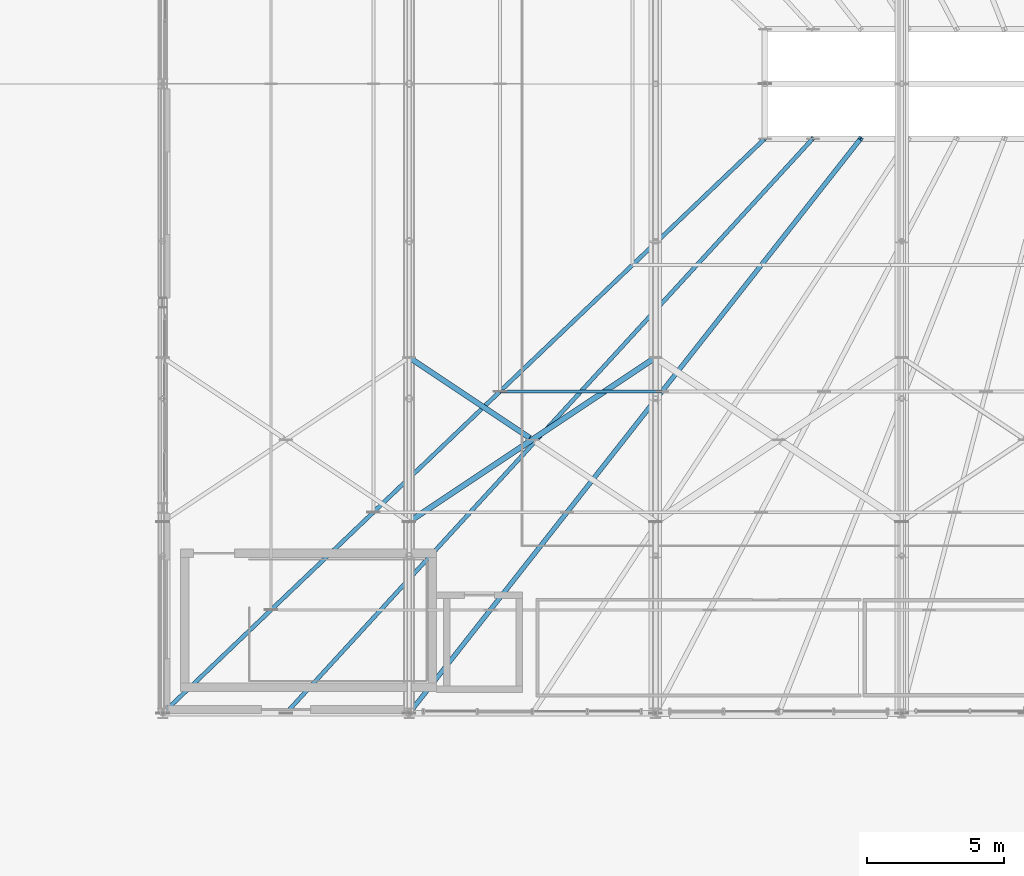
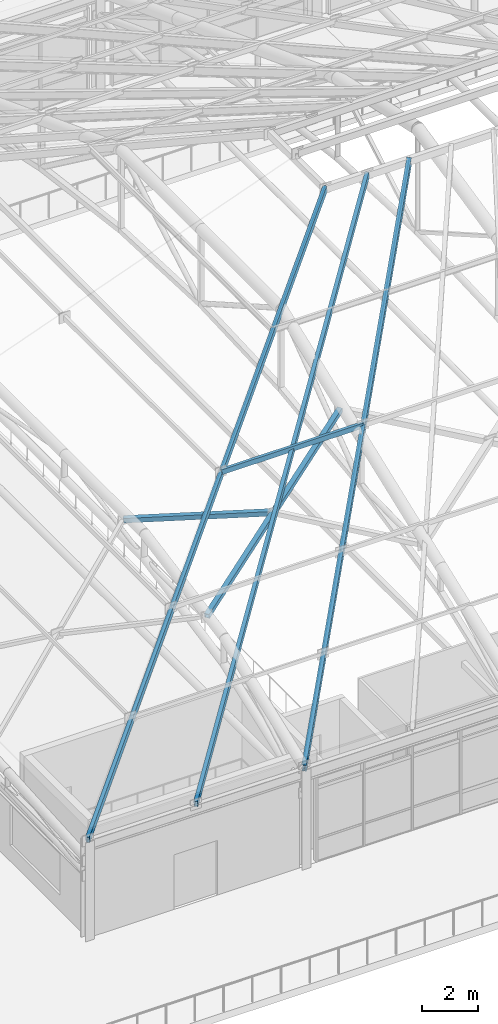
# One storey, part 25 of 168: 6 members.
"""IFC4 building model written with IfcOpenShell, lengths in metres."""

from ifc_helpers import new_model, si_unit, direction, frame, origin, origin_2d, place, context, subcontext, project, spatial, hollow_rectangle, i_section, extrude, material, material_profile, profile_set, type_object, element, save


model = new_model("IFC4")

# Units and contexts
model_context = context("Model", 3, precision=1e-05, world=origin(), true_north=direction((0.0, 1.0)))
body_context = subcontext(model_context, "Body", "Model", "MODEL_VIEW")
ifc_project = project(units=[si_unit("LENGTHUNIT", "METRE"), si_unit("AREAUNIT", "SQUARE_METRE"), si_unit("VOLUMEUNIT", "CUBIC_METRE"), si_unit("PLANEANGLEUNIT", "RADIAN"), si_unit("MASSUNIT", "GRAM", prefix="KILO"), si_unit("THERMODYNAMICTEMPERATUREUNIT", "KELVIN"), si_unit("POWERUNIT", "WATT")], contexts=[model_context])

# Site, building, storey
site_placement = place(None, origin())
site = spatial("IfcSite", under=ifc_project, at=site_placement, CompositionType="ELEMENT")
building_placement = place(site_placement, origin())
building = spatial("IfcBuilding", under=site, at=building_placement, Name="Tepalcoro Natatorium and Aquatics Centre", CompositionType="ELEMENT")
storey_placement = place(building_placement, frame((0.0, 0.0, 10.199951171875)))
storey = spatial("IfcBuildingStorey", under=building, at=storey_placement, Name="L02", CompositionType="ELEMENT", Elevation=10.199951171875)

# Members
ifc_material_1 = material(Name="Hollow Steel ASTM A500 Grade C (Fy 345 MPa)", Category="steel")
ifc_material_profile_1 = material_profile(ifc_material_1, hollow_rectangle(XDim=0.199951171875, YDim=0.199951171875, WallThickness=0.011962890625, at=origin_2d()), Name="HSS200X200X12")
ifc_profile_set_1 = profile_set([ifc_material_profile_1], Name="Hollow Steel ASTM A500 Grade C (Fy 345 MPa)")
member_type_1 = type_object("IfcMemberType", Name="MB_BR_HSS200x200x12", PredefinedType="BRACE", material=ifc_profile_set_1)
member_1_placement = place(storey_placement, frame((62.0, 20.0, 6.768310546875), z_axis=(0.813984840573, 0.542656560382, 0.207249937978), x_axis=(-0.554700196225, 0.832050294338, 0.0)))
element("IfcMember", 1, at=member_1_placement, inside=storey, type_object=member_type_1, Name="V1 Pyramid Roof Wind Brace", PredefinedType="BRACE", context=body_context, shape_type="SweptSolid", body=[
    extrude(hollow_rectangle(XDim=0.199951171875, YDim=0.199951171875, WallThickness=0.011962890625, at=origin_2d()), origin(), (0.0, 0.0, 1.0), 11.056640625),
])
member_2_placement = place(storey_placement, frame((66.40869140625, 23.060791015625, 7.920166015625), z_axis=(-0.827689397803, 0.55180821022, -0.102166334461), x_axis=(-0.554710829139, -0.832043205631, 0.0)))
element("IfcMember", 2, at=member_2_placement, inside=storey, type_object=member_type_1, Name="V1 Pyramid Roof Split Wind Brace", PredefinedType="BRACE", context=body_context, shape_type="SweptSolid", body=[
    extrude(hollow_rectangle(XDim=0.199951171875, YDim=0.199951171875, WallThickness=0.011962890625, at=origin_2d()), origin(), (0.0, 0.0, 1.0), 5.326416015625),
])
ifc_material_profile_2 = material_profile(ifc_material_1, hollow_rectangle(XDim=0.1201171875, YDim=0.219970703125, WallThickness=0.010009765625, at=origin_2d()), Name="HSS220X120X10")
ifc_profile_set_2 = profile_set([ifc_material_profile_2], Name="Hollow Steel ASTM A500 Grade C (Fy 345 MPa)")
member_type_2 = type_object("IfcMemberType", Name="MB_PR_HSS220x120x10", PredefinedType="PURLIN", material=ifc_profile_set_2)
member_3_placement = place(storey_placement, frame((65.320068359375, 24.760009765625, 9.05419921875), z_axis=(1.0, 0.0, 0.0), x_axis=(0.0, 1.0, 0.0)))
element("IfcMember", 3, at=member_3_placement, inside=storey, type_object=member_type_2, Name="Pyramid Horizontal Purlin South", PredefinedType="PURLIN", context=body_context, shape_type="SweptSolid", body=[
    extrude(hollow_rectangle(XDim=0.1201171875, YDim=0.219970703125, WallThickness=0.010009765625, at=origin_2d()), origin(), (0.0, 0.0, 1.0), 5.919921875),
])
ifc_material_2 = material(Name="Terracotta Painted Hollow Steel ASTM A500 Grade C (Fy 345 MPa)", Category="masonry")
ifc_material_profile_3 = material_profile(ifc_material_2, hollow_rectangle(XDim=0.14990234375, YDim=0.300048828125, WallThickness=0.011962890625, at=origin_2d()), Name="HSS300X150X12")
ifc_profile_set_3 = profile_set([ifc_material_profile_3], Name="Terracotta Painted Hollow Steel ASTM A500 Grade C (Fy 345 MPa)")
member_type_3 = type_object("IfcMemberType", Name="MB_RF_HSS300x150x12", PredefinedType="RAFTER", material=ifc_profile_set_3)
member_4_placement = place(storey_placement, frame((53.0, 13.0, 4.320068359375), z_axis=(0.698386900615, 0.666642041496, 0.260469049137), x_axis=(-0.690475746683, 0.723355544144, 0.0)))
element("IfcMember", 4, at=member_4_placement, inside=storey, type_object=member_type_3, Name="Pyramid Hip Rafter SW", PredefinedType="RAFTER", context=body_context, shape_type="SweptSolid", body=[
    extrude(hollow_rectangle(XDim=0.14990234375, YDim=0.300048828125, WallThickness=0.011962890625, at=origin_2d()), origin(), (0.0, 0.0, 1.0), 31.501220703125),
])
member_5_placement = place(storey_placement, frame((57.5, 13.0, 4.320068359375), z_axis=(0.649328564476, 0.708358433974, 0.276768394822), x_axis=(-0.737154140201, 0.675724628517, 0.0)))
element("IfcMember", 5, at=member_5_placement, inside=storey, type_object=member_type_3, Name="Pyramid Skylight Rafter South", PredefinedType="RAFTER", context=body_context, shape_type="SweptSolid", body=[
    extrude(hollow_rectangle(XDim=0.14990234375, YDim=0.300048828125, WallThickness=0.011962890625, at=origin_2d()), origin(), (0.0, 0.0, 1.0), 29.64599609375),
])
ifc_material_3 = material(Name="Steel ASTM A992 Grade 50 (Fy 345 MPa)", Category="steel")
ifc_material_profile_4 = material_profile(ifc_material_3, i_section(OverallWidth=0.1708984375, OverallDepth=0.35595703125, WebThickness=0.007080078125, FlangeThickness=0.011962890625, FilletRadius=0.013916015625, at=origin_2d()), Name="W14X34")
ifc_profile_set_4 = profile_set([ifc_material_profile_4], Name="Steel ASTM A992 Grade 50 (Fy 345 MPa)")
member_type_4 = type_object("IfcMemberType", Name="MB_RF_W14x34", PredefinedType="RAFTER", material=ifc_profile_set_4)
member_6_placement = place(storey_placement, frame((62.0, 13.0, 4.320068359375), z_axis=(0.590577770954, 0.75164443576, 0.293681015125), x_axis=(-0.786318338822, 0.617821551932, 0.0)))
element("IfcMember", 6, at=member_6_placement, inside=storey, type_object=member_type_4, Name="Pyramid Skylight Rafter South", PredefinedType="RAFTER", context=body_context, shape_type="SweptSolid", body=[
    extrude(i_section(OverallWidth=0.1708984375, OverallDepth=0.35595703125, WebThickness=0.007080078125, FlangeThickness=0.011962890625, FilletRadius=0.013916015625, at=origin_2d()), origin(), (0.0, 0.0, 1.0), 27.938720703125),
])

save(model, "model.ifc")
